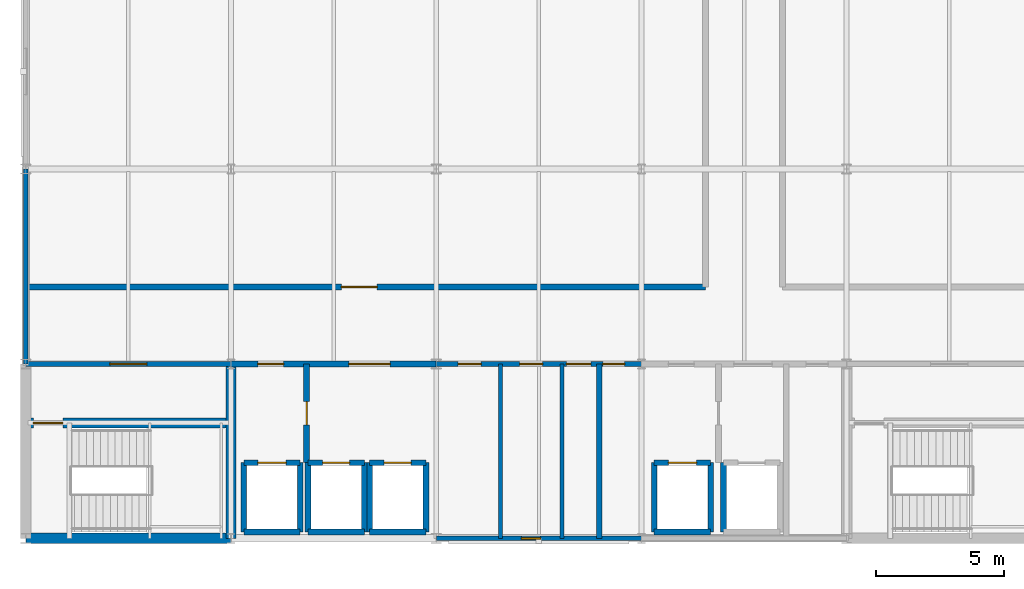
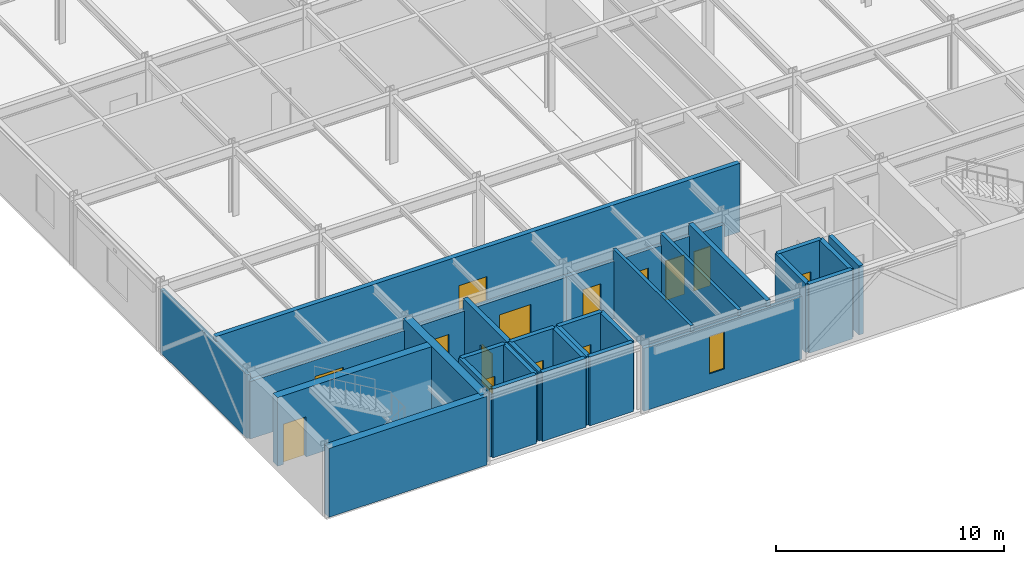
# One storey, part 11 of 14: 30 walls, 14 doors, 1 window, 15 openings.
"""IFC4 building model written with IfcOpenShell, lengths in metres."""

from ifc_helpers import new_model, si_unit, direction, frame, frame_2d, origin, place, context, subcontext, project, spatial, rectangle, extrude, material, layer, layer_set, type_object, element, fill, save


model = new_model("IFC4")

# Units and contexts
model_context = context("Model", 3, precision=1e-05, world=origin(), true_north=direction((0.0, 1.0)))
body_context = subcontext(model_context, "Body", "Model", "MODEL_VIEW")
ifc_project = project(units=[si_unit("LENGTHUNIT", "METRE"), si_unit("AREAUNIT", "SQUARE_METRE"), si_unit("VOLUMEUNIT", "CUBIC_METRE"), si_unit("PLANEANGLEUNIT", "RADIAN"), si_unit("MASSUNIT", "GRAM", prefix="KILO")], contexts=[model_context])

# Site, building, storey
site_placement = place(None, origin())
site = spatial("IfcSite", under=ifc_project, at=site_placement, CompositionType="ELEMENT")
building_placement = place(site_placement, origin())
building = spatial("IfcBuilding", under=site, at=building_placement, Name="Shalkamar Park Central Library", CompositionType="ELEMENT")
storey_placement = place(building_placement, frame((0.0, 0.0, 32.10009765625)))
storey = spatial("IfcBuildingStorey", under=building, at=storey_placement, Name="L08", CompositionType="ELEMENT", Elevation=32.10009765625)

# Wall, opening, door
ifc_material_1 = material(Name="Reinforced fire-compartment masonry wall", Category="masonry")
ifc_layer_1 = layer(ifc_material_1, 0.239990234375)
ifc_layer_set_1 = layer_set([ifc_layer_1], Name="CompartmentWall_240")
wall_type_1 = type_object("IfcWallType", Name="Compartment Wall 240", PredefinedType="PARTITIONING", material=ifc_layer_set_1)
wall_1_placement = place(storey_placement, frame((175.949951171875, 251.35009765625, 0.0), z_axis=(0.0, 0.0, 1.0), x_axis=(0.0, 1.0, 0.0)))
wall_1 = element("IfcWall", 1, at=wall_1_placement, inside=storey, type_object=wall_type_1, Name="Interior Partition WL-INT-L08-001", PredefinedType="PARTITIONING", context=body_context, shape_type="SweptSolid", body=[
    extrude(rectangle(XDim=3.849853515625, YDim=0.239990234375, at=frame_2d((1.9248046875, 0.0))), origin(), (0.0, 0.0, 1.0), 3.679931640625),
])
opening_1_placement = place(wall_1_placement, frame((1.47509765625, 0.0, 0.0)))
opening_1 = element("IfcOpeningElement", 2, at=opening_1_placement, cuts=wall_1, Name="Opening DR-L08-001", PredefinedType="OPENING", context=body_context, shape_type="SweptSolid", body=[
    extrude(rectangle(XDim=0.89990234375, YDim=2.10009765625, at=frame_2d((0.449951171875, 1.050048828125))), frame((0.0, 0.134765625, 0.0), z_axis=(0.0, -1.0, 0.0), x_axis=(1.0, 0.0, 0.0)), (0.0, 0.0, 1.0), 0.269775390625),
])
ifc_material_2 = material(Name="Steel S355", Category="steel")
door_type_1 = type_object("IfcDoorType", Name="Fire Door Single 900x2100", OperationType="NOTDEFINED", PredefinedType="DOOR", material=ifc_material_2)
door_1_placement = place(opening_1_placement, frame((0.89990234375, 0.0, 0.0), z_axis=(0.0, 0.0, 1.0), x_axis=(-1.0, 0.0, 0.0)))
door_1 = element("IfcDoor", 3, at=door_1_placement, inside=storey, type_object=door_type_1, Name="Fire Lobby Interconnect Door", OperationType="SINGLE_SWING_LEFT", OverallHeight=2.10009765625, OverallWidth=0.89990234375, PredefinedType="DOOR", context=body_context, shape_type="SweptSolid", body=[
    extrude(rectangle(XDim=0.89990234375, YDim=2.10009765625, at=frame_2d((0.449951171875, 1.050048828125))), frame((0.0, 0.02490234375, 0.0), z_axis=(0.0, -1.0, 0.0), x_axis=(1.0, 0.0, 0.0)), (0.0, 0.0, 1.0), 0.050048828125),
])
fill(opening_1, door_1)

# Wall, openings, doors
wall_2_placement = place(storey_placement, frame((173.0, 255.199951171875, 0.0), z_axis=(0.0, 0.0, 1.0), x_axis=(1.0, 0.0, 0.0)))
wall_2 = element("IfcWall", 4, at=wall_2_placement, inside=storey, type_object=wall_type_1, Name="Interior Partition WL-INT-L08-007", PredefinedType="PARTITIONING", context=body_context, shape_type="SweptSolid", body=[
    extrude(rectangle(XDim=8.0, YDim=0.239990234375, at=frame_2d((4.0, 0.0))), origin(), (0.0, 0.0, 1.0), 3.077880859375),
])
opening_2_placement = place(wall_2_placement, frame((1.050048828125, 0.0, 0.0)))
opening_2 = element("IfcOpeningElement", 5, at=opening_2_placement, cuts=wall_2, Name="Opening DR-L08-003", PredefinedType="OPENING", context=body_context, shape_type="SweptSolid", body=[
    extrude(rectangle(XDim=1.0, YDim=2.10009765625, at=frame_2d((0.5, 1.050048828125))), frame((0.0, 0.134765625, 0.0), z_axis=(0.0, -1.0, 0.0), x_axis=(1.0, 0.0, 0.0)), (0.0, 0.0, 1.0), 0.269775390625),
])
opening_3_placement = place(wall_2_placement, frame((4.60009765625, 0.0, 0.0)))
opening_3 = element("IfcOpeningElement", 6, at=opening_3_placement, cuts=wall_2, Name="Opening DR-L08-004", PredefinedType="OPENING", context=body_context, shape_type="SweptSolid", body=[
    extrude(rectangle(XDim=1.60009765625, YDim=2.25, at=frame_2d((0.800048828125, 1.125))), frame((0.0, 0.134765625, 0.0), z_axis=(0.0, -1.0, 0.0), x_axis=(1.0, 0.0, 0.0)), (0.0, 0.0, 1.0), 0.269775390625),
])
door_type_2 = type_object("IfcDoorType", Name="Fire Door Single 1000x2100", OperationType="NOTDEFINED", PredefinedType="DOOR", material=ifc_material_2)
door_2_placement = place(opening_2_placement, frame((1.0, 0.0, 0.0), z_axis=(0.0, 0.0, 1.0), x_axis=(-1.0, 0.0, 0.0)))
door_2 = element("IfcDoor", 7, at=door_2_placement, inside=storey, type_object=door_type_2, Name="West Firefighting Lobby Door", OperationType="SINGLE_SWING_RIGHT", OverallHeight=2.10009765625, OverallWidth=1.0, PredefinedType="DOOR", context=body_context, shape_type="SweptSolid", body=[
    extrude(rectangle(XDim=1.0, YDim=2.10009765625, at=frame_2d((0.5, 1.050048828125))), frame((0.0, 0.02490234375, 0.0), z_axis=(0.0, -1.0, 0.0), x_axis=(1.0, 0.0, 0.0)), (0.0, 0.0, 1.0), 0.050048828125),
])
fill(opening_2, door_2)
door_type_3 = type_object("IfcDoorType", Name="Interior Door Double 1600x2250", OperationType="DOUBLE_DOOR_SINGLE_SWING", PredefinedType="DOOR", material=ifc_material_2)
door_3_placement = place(opening_3_placement, origin())
door_3 = element("IfcDoor", 8, at=door_3_placement, inside=storey, type_object=door_type_3, Name="West Lift Lobby Entrance", OperationType="DOUBLE_DOOR_SINGLE_SWING", OverallHeight=2.25, OverallWidth=1.60009765625, PredefinedType="DOOR", context=body_context, shape_type="SweptSolid", body=[
    extrude(rectangle(XDim=1.60009765625, YDim=2.25, at=frame_2d((0.800048828125, 1.125))), frame((0.0, 0.02490234375, 0.0), z_axis=(0.0, -1.0, 0.0), x_axis=(1.0, 0.0, 0.0)), (0.0, 0.0, 1.0), 0.050048828125),
])
fill(opening_3, door_3)

# Wall, opening, door
wall_3_placement = place(storey_placement, frame((165.0, 258.199951171875, 0.0), z_axis=(0.0, 0.0, 1.0), x_axis=(1.0, 0.0, 0.0)))
wall_3 = element("IfcWall", 9, at=wall_3_placement, inside=storey, type_object=wall_type_1, Name="Interior Partition WL-INT-L08-012", PredefinedType="PARTITIONING", context=body_context, shape_type="SweptSolid", body=[
    extrude(rectangle(XDim=26.5, YDim=0.239990234375, at=frame_2d((13.25, 0.0))), origin(), (0.0, 0.0, 1.0), 3.679931640625),
])
opening_4_placement = place(wall_3_placement, frame((12.300048828125, 0.0, 0.0)))
opening_4 = element("IfcOpeningElement", 10, at=opening_4_placement, cuts=wall_3, Name="Opening DR-L08-014", PredefinedType="OPENING", context=body_context, shape_type="SweptSolid", body=[
    extrude(rectangle(XDim=1.39990234375, YDim=2.10009765625, at=frame_2d((0.699951171875, 1.050048828125))), frame((0.0, 0.134765625, 0.0), z_axis=(0.0, -1.0, 0.0), x_axis=(1.0, 0.0, 0.0)), (0.0, 0.0, 1.0), 0.269775390625),
])
door_type_4 = type_object("IfcDoorType", Name="Fire Door Double 1400x2100", OperationType="DOUBLE_DOOR_SINGLE_SWING", PredefinedType="DOOR", material=ifc_material_2)
door_4_placement = place(opening_4_placement, origin())
door_4 = element("IfcDoor", 11, at=door_4_placement, inside=storey, type_object=door_type_4, Name="L08 SW Closed Stacks South Door", OperationType="DOUBLE_DOOR_SINGLE_SWING", OverallHeight=2.10009765625, OverallWidth=1.39990234375, PredefinedType="DOOR", context=body_context, shape_type="SweptSolid", body=[
    extrude(rectangle(XDim=1.39990234375, YDim=2.10009765625, at=frame_2d((0.699951171875, 1.050048828125))), frame((0.0, 0.02490234375, 0.0), z_axis=(0.0, -1.0, 0.0), x_axis=(1.0, 0.0, 0.0)), (0.0, 0.0, 1.0), 0.050048828125),
])
fill(opening_4, door_4)

ifc_material_3 = material(Name="Fire-rated corridor partition wall", Category="masonry")
ifc_layer_2 = layer(ifc_material_3, 0.199951171875)
ifc_layer_set_2 = layer_set([ifc_layer_2], Name="CorridorFireWall_200")
wall_type_2 = type_object("IfcWallType", Name="Corridor Fire Wall 200", PredefinedType="PARTITIONING", material=ifc_layer_set_2)
wall_4_placement = place(storey_placement, frame((165.0, 255.199951171875, 0.0), z_axis=(0.0, 0.0, 1.0), x_axis=(1.0, 0.0, 0.0)))
wall_4 = element("IfcWall", 12, at=wall_4_placement, inside=storey, type_object=wall_type_2, Name="CORE-T1 Vestibule North Wall (L08)", PredefinedType="PARTITIONING", context=body_context, shape_type="SweptSolid", body=[
    extrude(rectangle(XDim=8.0, YDim=0.199951171875, at=frame_2d((4.0, 0.0))), origin(), (0.0, 0.0, 1.0), 3.077880859375),
])
opening_5_placement = place(wall_4_placement, frame((3.27490234375, 0.0, 0.0)))
opening_5 = element("IfcOpeningElement", 13, at=opening_5_placement, cuts=wall_4, Name="Opening DR-ST-T1-L08-VEST", PredefinedType="OPENING", context=body_context, shape_type="SweptSolid", body=[
    extrude(rectangle(XDim=1.449951171875, YDim=2.199951171875, at=frame_2d((0.72509765625, 1.10009765625))), frame((0.0, 0.11474609375, 0.0), z_axis=(0.0, -1.0, 0.0), x_axis=(1.0, 0.0, 0.0)), (0.0, 0.0, 1.0), 0.229736328125),
])
door_type_5 = type_object("IfcDoorType", Name="Stair Vestibule Door 1450x2200", OperationType="DOUBLE_DOOR_SINGLE_SWING", PredefinedType="DOOR", material=ifc_material_2)
door_5_placement = place(opening_5_placement, frame((1.449951171875, 0.0, 0.0), z_axis=(0.0, 0.0, 1.0), x_axis=(-1.0, 0.0, 0.0)))
door_5 = element("IfcDoor", 14, at=door_5_placement, inside=storey, type_object=door_type_5, Name="Protected Stair ST-T1 Vestibule Door (L08)", OperationType="DOUBLE_DOOR_SINGLE_SWING", OverallHeight=2.199951171875, OverallWidth=1.449951171875, PredefinedType="DOOR", context=body_context, shape_type="SweptSolid", body=[
    extrude(rectangle(XDim=1.449951171875, YDim=2.199951171875, at=frame_2d((0.72509765625, 1.10009765625))), frame((0.0, 0.02490234375, 0.0), z_axis=(0.0, -1.0, 0.0), x_axis=(1.0, 0.0, 0.0)), (0.0, 0.0, 1.0), 0.050048828125),
])
fill(opening_5, door_5)

# Wall, openings, doors
wall_5_placement = place(storey_placement, frame((181.0, 255.199951171875, 0.0), z_axis=(0.0, 0.0, 1.0), x_axis=(1.0, 0.0, 0.0)))
wall_5 = element("IfcWall", 15, at=wall_5_placement, inside=storey, type_object=wall_type_2, Name="Interior Partition WL-INT-L08-008", PredefinedType="PARTITIONING", context=body_context, shape_type="SweptSolid", body=[
    extrude(rectangle(XDim=8.0, YDim=0.199951171875, at=frame_2d((4.0, 0.0))), origin(), (0.0, 0.0, 1.0), 3.077880859375),
])
opening_6_placement = place(wall_5_placement, frame((0.85009765625, 0.0, 0.0)))
opening_6 = element("IfcOpeningElement", 16, at=opening_6_placement, cuts=wall_5, Name="Opening DR-L08-005", PredefinedType="OPENING", context=body_context, shape_type="SweptSolid", body=[
    extrude(rectangle(XDim=0.89990234375, YDim=2.10009765625, at=frame_2d((0.449951171875, 1.050048828125))), frame((0.0, 0.11474609375, 0.0), z_axis=(0.0, -1.0, 0.0), x_axis=(1.0, 0.0, 0.0)), (0.0, 0.0, 1.0), 0.229736328125),
])
opening_7_placement = place(wall_5_placement, frame((3.25, 0.0, 0.0)))
opening_7 = element("IfcOpeningElement", 17, at=opening_7_placement, cuts=wall_5, Name="Opening DR-L08-006", PredefinedType="OPENING", context=body_context, shape_type="SweptSolid", body=[
    extrude(rectangle(XDim=0.89990234375, YDim=2.10009765625, at=frame_2d((0.449951171875, 1.050048828125))), frame((0.0, 0.11474609375, 0.0), z_axis=(0.0, -1.0, 0.0), x_axis=(1.0, 0.0, 0.0)), (0.0, 0.0, 1.0), 0.229736328125),
])
opening_8_placement = place(wall_5_placement, frame((5.074951171875, 0.0, 0.0)))
opening_8 = element("IfcOpeningElement", 18, at=opening_8_placement, cuts=wall_5, Name="Opening DR-L08-007", PredefinedType="OPENING", context=body_context, shape_type="SweptSolid", body=[
    extrude(rectangle(XDim=0.949951171875, YDim=2.10009765625, at=frame_2d((0.47509765625, 1.050048828125))), frame((0.0, 0.11474609375, 0.0), z_axis=(0.0, -1.0, 0.0), x_axis=(1.0, 0.0, 0.0)), (0.0, 0.0, 1.0), 0.229736328125),
])
opening_9_placement = place(wall_5_placement, frame((6.5, 0.0, 0.0)))
opening_9 = element("IfcOpeningElement", 19, at=opening_9_placement, cuts=wall_5, Name="Opening DR-L08-008", PredefinedType="OPENING", context=body_context, shape_type="SweptSolid", body=[
    extrude(rectangle(XDim=0.85009765625, YDim=2.10009765625, at=frame_2d((0.425048828125, 1.050048828125))), frame((0.0, 0.11474609375, 0.0), z_axis=(0.0, -1.0, 0.0), x_axis=(1.0, 0.0, 0.0)), (0.0, 0.0, 1.0), 0.229736328125),
])
door_type_6 = type_object("IfcDoorType", Name="Fire Door Riser 850x2100", OperationType="NOTDEFINED", PredefinedType="DOOR", material=ifc_material_2)
door_6_placement = place(opening_9_placement, frame((0.85009765625, 0.0, 0.0), z_axis=(0.0, 0.0, 1.0), x_axis=(-1.0, 0.0, 0.0)))
door_6 = element("IfcDoor", 20, at=door_6_placement, inside=storey, type_object=door_type_6, Name="Electrical Riser Access Door", OperationType="SINGLE_SWING_LEFT", OverallHeight=2.10009765625, OverallWidth=0.85009765625, PredefinedType="DOOR", context=body_context, shape_type="SweptSolid", body=[
    extrude(rectangle(XDim=0.85009765625, YDim=2.10009765625, at=frame_2d((0.425048828125, 1.050048828125))), frame((0.0, 0.02490234375, 0.0), z_axis=(0.0, -1.0, 0.0), x_axis=(1.0, 0.0, 0.0)), (0.0, 0.0, 1.0), 0.050048828125),
])
fill(opening_9, door_6)
door_type_7 = type_object("IfcDoorType", Name="Interior Door Single 900x2100", OperationType="NOTDEFINED", PredefinedType="DOOR", material=ifc_material_2)
door_7_placement = place(opening_6_placement, frame((0.89990234375, 0.0, 0.0), z_axis=(0.0, 0.0, 1.0), x_axis=(-1.0, 0.0, 0.0)))
door_7 = element("IfcDoor", 21, at=door_7_placement, inside=storey, type_object=door_type_7, Name="Male WC Door", OperationType="SINGLE_SWING_RIGHT", OverallHeight=2.10009765625, OverallWidth=0.89990234375, PredefinedType="DOOR", context=body_context, shape_type="SweptSolid", body=[
    extrude(rectangle(XDim=0.89990234375, YDim=2.10009765625, at=frame_2d((0.449951171875, 1.050048828125))), frame((0.0, 0.02490234375, 0.0), z_axis=(0.0, -1.0, 0.0), x_axis=(1.0, 0.0, 0.0)), (0.0, 0.0, 1.0), 0.050048828125),
])
fill(opening_6, door_7)
door_8_placement = place(opening_7_placement, frame((0.89990234375, 0.0, 0.0), z_axis=(0.0, 0.0, 1.0), x_axis=(-1.0, 0.0, 0.0)))
door_8 = element("IfcDoor", 22, at=door_8_placement, inside=storey, type_object=door_type_7, Name="Female WC Door", OperationType="SINGLE_SWING_RIGHT", OverallHeight=2.10009765625, OverallWidth=0.89990234375, PredefinedType="DOOR", context=body_context, shape_type="SweptSolid", body=[
    extrude(rectangle(XDim=0.89990234375, YDim=2.10009765625, at=frame_2d((0.449951171875, 1.050048828125))), frame((0.0, 0.02490234375, 0.0), z_axis=(0.0, -1.0, 0.0), x_axis=(1.0, 0.0, 0.0)), (0.0, 0.0, 1.0), 0.050048828125),
])
fill(opening_7, door_8)
door_type_8 = type_object("IfcDoorType", Name="Interior Door Single 950x2100", OperationType="NOTDEFINED", PredefinedType="DOOR", material=ifc_material_2)
door_9_placement = place(opening_8_placement, frame((0.949951171875, 0.0, 0.0), z_axis=(0.0, 0.0, 1.0), x_axis=(-1.0, 0.0, 0.0)))
door_9 = element("IfcDoor", 23, at=door_9_placement, inside=storey, type_object=door_type_8, Name="Universal Accessible WC Door", OperationType="SINGLE_SWING_LEFT", OverallHeight=2.10009765625, OverallWidth=0.949951171875, PredefinedType="DOOR", context=body_context, shape_type="SweptSolid", body=[
    extrude(rectangle(XDim=0.949951171875, YDim=2.10009765625, at=frame_2d((0.47509765625, 1.050048828125))), frame((0.0, 0.02490234375, 0.0), z_axis=(0.0, -1.0, 0.0), x_axis=(1.0, 0.0, 0.0)), (0.0, 0.0, 1.0), 0.050048828125),
])
fill(opening_8, door_9)

# Walls
ifc_material_4 = material(Name="Concrete C40/50", Category="concrete")
ifc_layer_3 = layer(ifc_material_4, 0.219970703125)
ifc_layer_set_3 = layer_set([ifc_layer_3], Name="Concrete C40/50")
wall_type_3 = type_object("IfcWallType", Name="Lift Hoistway Shear Wall 220", PredefinedType="SHEAR", material=ifc_layer_set_3)
wall_6_placement = place(storey_placement, frame((173.5, 248.64990234375, 0.0), z_axis=(0.0, 0.0, 1.0), x_axis=(1.0, 0.0, 0.0)))
element("IfcWall", 24, at=wall_6_placement, inside=storey, type_object=wall_type_3, Name="Lift FFL-01 Hoistway South Wall (L08)", PredefinedType="SHEAR", context=body_context, shape_type="SweptSolid", body=[
    extrude(rectangle(XDim=2.199951171875, YDim=0.219970703125, at=frame_2d((1.10009765625, 0.0))), origin(), (0.0, 0.0, 1.0), 3.679931640625),
])
for number, where, z_axis, x_axis, name in (
    (25, (173.5, 248.64990234375, 0.0), (0.0, 0.0, 1.0), (0.0, 1.0, 0.0), "Lift FFL-01 Hoistway West Wall (L08)"),
    (26, (175.699951171875, 248.64990234375, 0.0), (0.0, 0.0, 1.0), (0.0, 1.0, 0.0), "Lift FFL-01 Hoistway East Wall (L08)"),
):
    element("IfcWall", number, at=place(storey_placement, frame(where, z_axis=z_axis, x_axis=x_axis)), inside=storey, type_object=wall_type_3, Name=name, PredefinedType="SHEAR", context=body_context, shape_type="SweptSolid", body=[
        extrude(rectangle(XDim=2.7001953125, YDim=0.219970703125, at=frame_2d((1.35009765625, 0.0))), origin(), (0.0, 0.0, 1.0), 3.679931640625),
    ])

# Wall, opening, door
wall_7_placement = place(storey_placement, frame((173.5, 251.35009765625, 0.0), z_axis=(0.0, 0.0, 1.0), x_axis=(1.0, 0.0, 0.0)))
wall_7 = element("IfcWall", 27, at=wall_7_placement, inside=storey, type_object=wall_type_3, Name="Lift FFL-01 Hoistway Front Wall (L08)", PredefinedType="SHEAR", context=body_context, shape_type="SweptSolid", body=[
    extrude(rectangle(XDim=2.199951171875, YDim=0.219970703125, at=frame_2d((1.10009765625, 0.0))), origin(), (0.0, 0.0, 1.0), 3.679931640625),
])
opening_10_placement = place(wall_7_placement, frame((0.550048828125, 0.0, 0.0)))
opening_10 = element("IfcOpeningElement", 28, at=opening_10_placement, cuts=wall_7, Name="Opening LD-FFL-01-L08", PredefinedType="OPENING", context=body_context, shape_type="SweptSolid", body=[
    extrude(rectangle(XDim=1.10009765625, YDim=2.14990234375, at=frame_2d((0.550048828125, 1.074951171875))), frame((0.0, 0.125, 0.0), z_axis=(0.0, -1.0, 0.0), x_axis=(1.0, 0.0, 0.0)), (0.0, 0.0, 1.0), 0.249755859375),
])
door_type_9 = type_object("IfcDoorType", Name="Fire Lift Landing Door 1100x2150", OperationType="DOUBLE_DOOR_SLIDING", PredefinedType="USERDEFINED", material=ifc_material_2)
door_10_placement = place(opening_10_placement, origin())
door_10 = element("IfcDoor", 29, at=door_10_placement, inside=storey, type_object=door_type_9, Name="Lift FFL-01 Sliding Landing Door (L08)", ObjectType="SLIDING LANDING DOOR", OperationType="DOUBLE_DOOR_SLIDING", OverallHeight=2.14990234375, OverallWidth=1.10009765625, PredefinedType="USERDEFINED", context=body_context, shape_type="SweptSolid", body=[
    extrude(rectangle(XDim=1.10009765625, YDim=2.14990234375, at=frame_2d((0.550048828125, 1.074951171875))), frame((0.0, 0.02490234375, 0.0), z_axis=(0.0, -1.0, 0.0), x_axis=(1.0, 0.0, 0.0)), (0.0, 0.0, 1.0), 0.050048828125),
])
fill(opening_10, door_10)

# Walls
wall_8_placement = place(storey_placement, frame((176.0, 248.64990234375, 0.0), z_axis=(0.0, 0.0, 1.0), x_axis=(1.0, 0.0, 0.0)))
element("IfcWall", 30, at=wall_8_placement, inside=storey, type_object=wall_type_3, Name="Lift LT-01 Hoistway South Wall (L08)", PredefinedType="SHEAR", context=body_context, shape_type="SweptSolid", body=[
    extrude(rectangle(XDim=2.199951171875, YDim=0.219970703125, at=frame_2d((1.10009765625, 0.0))), origin(), (0.0, 0.0, 1.0), 3.679931640625),
])
for number, where, z_axis, x_axis, name in (
    (31, (176.0, 248.64990234375, 0.0), (0.0, 0.0, 1.0), (0.0, 1.0, 0.0), "Lift LT-01 Hoistway West Wall (L08)"),
    (32, (178.199951171875, 248.64990234375, 0.0), (0.0, 0.0, 1.0), (0.0, 1.0, 0.0), "Lift LT-01 Hoistway East Wall (L08)"),
):
    element("IfcWall", number, at=place(storey_placement, frame(where, z_axis=z_axis, x_axis=x_axis)), inside=storey, type_object=wall_type_3, Name=name, PredefinedType="SHEAR", context=body_context, shape_type="SweptSolid", body=[
        extrude(rectangle(XDim=2.7001953125, YDim=0.219970703125, at=frame_2d((1.35009765625, 0.0))), origin(), (0.0, 0.0, 1.0), 3.679931640625),
    ])

# Wall, opening, door
wall_9_placement = place(storey_placement, frame((176.0, 251.35009765625, 0.0), z_axis=(0.0, 0.0, 1.0), x_axis=(1.0, 0.0, 0.0)))
wall_9 = element("IfcWall", 33, at=wall_9_placement, inside=storey, type_object=wall_type_3, Name="Lift LT-01 Hoistway Front Wall (L08)", PredefinedType="SHEAR", context=body_context, shape_type="SweptSolid", body=[
    extrude(rectangle(XDim=2.199951171875, YDim=0.219970703125, at=frame_2d((1.10009765625, 0.0))), origin(), (0.0, 0.0, 1.0), 3.679931640625),
])
opening_11_placement = place(wall_9_placement, frame((0.574951171875, 0.0, 0.0)))
opening_11 = element("IfcOpeningElement", 34, at=opening_11_placement, cuts=wall_9, Name="Opening LD-LT-01-L08", PredefinedType="OPENING", context=body_context, shape_type="SweptSolid", body=[
    extrude(rectangle(XDim=1.050048828125, YDim=2.14990234375, at=frame_2d((0.52490234375, 1.074951171875))), frame((0.0, 0.125, 0.0), z_axis=(0.0, -1.0, 0.0), x_axis=(1.0, 0.0, 0.0)), (0.0, 0.0, 1.0), 0.249755859375),
])
door_type_10 = type_object("IfcDoorType", Name="Passenger Lift Landing Door 1050x2150", OperationType="DOUBLE_DOOR_SLIDING", PredefinedType="USERDEFINED", material=ifc_material_2)
door_11_placement = place(opening_11_placement, origin())
door_11 = element("IfcDoor", 35, at=door_11_placement, inside=storey, type_object=door_type_10, Name="Lift LT-01 Sliding Landing Door (L08)", ObjectType="SLIDING LANDING DOOR", OperationType="DOUBLE_DOOR_SLIDING", OverallHeight=2.14990234375, OverallWidth=1.050048828125, PredefinedType="USERDEFINED", context=body_context, shape_type="SweptSolid", body=[
    extrude(rectangle(XDim=1.050048828125, YDim=2.14990234375, at=frame_2d((0.52490234375, 1.074951171875))), frame((0.0, 0.02490234375, 0.0), z_axis=(0.0, -1.0, 0.0), x_axis=(1.0, 0.0, 0.0)), (0.0, 0.0, 1.0), 0.050048828125),
])
fill(opening_11, door_11)

# Walls
wall_10_placement = place(storey_placement, frame((178.39990234375, 248.64990234375, 0.0), z_axis=(0.0, 0.0, 1.0), x_axis=(1.0, 0.0, 0.0)))
element("IfcWall", 36, at=wall_10_placement, inside=storey, type_object=wall_type_3, Name="Lift LT-02 Hoistway South Wall (L08)", PredefinedType="SHEAR", context=body_context, shape_type="SweptSolid", body=[
    extrude(rectangle(XDim=2.2001953125, YDim=0.219970703125, at=frame_2d((1.10009765625, 0.0))), origin(), (0.0, 0.0, 1.0), 3.679931640625),
])
for number, where, z_axis, x_axis, name in (
    (37, (178.39990234375, 248.64990234375, 0.0), (0.0, 0.0, 1.0), (0.0, 1.0, 0.0), "Lift LT-02 Hoistway West Wall (L08)"),
    (38, (180.60009765625, 248.64990234375, 0.0), (0.0, 0.0, 1.0), (0.0, 1.0, 0.0), "Lift LT-02 Hoistway East Wall (L08)"),
):
    element("IfcWall", number, at=place(storey_placement, frame(where, z_axis=z_axis, x_axis=x_axis)), inside=storey, type_object=wall_type_3, Name=name, PredefinedType="SHEAR", context=body_context, shape_type="SweptSolid", body=[
        extrude(rectangle(XDim=2.7001953125, YDim=0.219970703125, at=frame_2d((1.35009765625, 0.0))), origin(), (0.0, 0.0, 1.0), 3.679931640625),
    ])

# Wall, opening, door
wall_11_placement = place(storey_placement, frame((178.39990234375, 251.35009765625, 0.0), z_axis=(0.0, 0.0, 1.0), x_axis=(1.0, 0.0, 0.0)))
wall_11 = element("IfcWall", 39, at=wall_11_placement, inside=storey, type_object=wall_type_3, Name="Lift LT-02 Hoistway Front Wall (L08)", PredefinedType="SHEAR", context=body_context, shape_type="SweptSolid", body=[
    extrude(rectangle(XDim=2.2001953125, YDim=0.219970703125, at=frame_2d((1.10009765625, 0.0))), origin(), (0.0, 0.0, 1.0), 3.679931640625),
])
opening_12_placement = place(wall_11_placement, frame((0.574951171875, 0.0, 0.0)))
opening_12 = element("IfcOpeningElement", 40, at=opening_12_placement, cuts=wall_11, Name="Opening LD-LT-02-L08", PredefinedType="OPENING", context=body_context, shape_type="SweptSolid", body=[
    extrude(rectangle(XDim=1.050048828125, YDim=2.14990234375, at=frame_2d((0.52490234375, 1.074951171875))), frame((0.0, 0.125, 0.0), z_axis=(0.0, -1.0, 0.0), x_axis=(1.0, 0.0, 0.0)), (0.0, 0.0, 1.0), 0.249755859375),
])
door_12_placement = place(opening_12_placement, origin())
door_12 = element("IfcDoor", 41, at=door_12_placement, inside=storey, type_object=door_type_10, Name="Lift LT-02 Sliding Landing Door (L08)", ObjectType="SLIDING LANDING DOOR", OperationType="DOUBLE_DOOR_SLIDING", OverallHeight=2.14990234375, OverallWidth=1.050048828125, PredefinedType="USERDEFINED", context=body_context, shape_type="SweptSolid", body=[
    extrude(rectangle(XDim=1.050048828125, YDim=2.14990234375, at=frame_2d((0.52490234375, 1.074951171875))), frame((0.0, 0.02490234375, 0.0), z_axis=(0.0, -1.0, 0.0), x_axis=(1.0, 0.0, 0.0)), (0.0, 0.0, 1.0), 0.050048828125),
])
fill(opening_12, door_12)

# Walls
wall_12_placement = place(storey_placement, frame((189.5, 248.64990234375, 0.0), z_axis=(0.0, 0.0, 1.0), x_axis=(1.0, 0.0, 0.0)))
element("IfcWall", 42, at=wall_12_placement, inside=storey, type_object=wall_type_3, Name="Lift FFL-02 Hoistway South Wall (L08)", PredefinedType="SHEAR", context=body_context, shape_type="SweptSolid", body=[
    extrude(rectangle(XDim=2.199951171875, YDim=0.219970703125, at=frame_2d((1.10009765625, 0.0))), origin(), (0.0, 0.0, 1.0), 3.679931640625),
])
for number, where, z_axis, x_axis, name in (
    (43, (189.5, 248.64990234375, 0.0), (0.0, 0.0, 1.0), (0.0, 1.0, 0.0), "Lift FFL-02 Hoistway West Wall (L08)"),
    (44, (191.699951171875, 248.64990234375, 0.0), (0.0, 0.0, 1.0), (0.0, 1.0, 0.0), "Lift FFL-02 Hoistway East Wall (L08)"),
):
    element("IfcWall", number, at=place(storey_placement, frame(where, z_axis=z_axis, x_axis=x_axis)), inside=storey, type_object=wall_type_3, Name=name, PredefinedType="SHEAR", context=body_context, shape_type="SweptSolid", body=[
        extrude(rectangle(XDim=2.7001953125, YDim=0.219970703125, at=frame_2d((1.35009765625, 0.0))), origin(), (0.0, 0.0, 1.0), 3.679931640625),
    ])

# Wall, opening, door
wall_13_placement = place(storey_placement, frame((189.5, 251.35009765625, 0.0), z_axis=(0.0, 0.0, 1.0), x_axis=(1.0, 0.0, 0.0)))
wall_13 = element("IfcWall", 45, at=wall_13_placement, inside=storey, type_object=wall_type_3, Name="Lift FFL-02 Hoistway Front Wall (L08)", PredefinedType="SHEAR", context=body_context, shape_type="SweptSolid", body=[
    extrude(rectangle(XDim=2.199951171875, YDim=0.219970703125, at=frame_2d((1.10009765625, 0.0))), origin(), (0.0, 0.0, 1.0), 3.679931640625),
])
opening_13_placement = place(wall_13_placement, frame((0.550048828125, 0.0, 0.0)))
opening_13 = element("IfcOpeningElement", 46, at=opening_13_placement, cuts=wall_13, Name="Opening LD-FFL-02-L08", PredefinedType="OPENING", context=body_context, shape_type="SweptSolid", body=[
    extrude(rectangle(XDim=1.10009765625, YDim=2.14990234375, at=frame_2d((0.550048828125, 1.074951171875))), frame((0.0, 0.125, 0.0), z_axis=(0.0, -1.0, 0.0), x_axis=(1.0, 0.0, 0.0)), (0.0, 0.0, 1.0), 0.249755859375),
])
door_13_placement = place(opening_13_placement, origin())
door_13 = element("IfcDoor", 47, at=door_13_placement, inside=storey, type_object=door_type_9, Name="Lift FFL-02 Sliding Landing Door (L08)", ObjectType="SLIDING LANDING DOOR", OperationType="DOUBLE_DOOR_SLIDING", OverallHeight=2.14990234375, OverallWidth=1.10009765625, PredefinedType="USERDEFINED", context=body_context, shape_type="SweptSolid", body=[
    extrude(rectangle(XDim=1.10009765625, YDim=2.14990234375, at=frame_2d((0.550048828125, 1.074951171875))), frame((0.0, 0.02490234375, 0.0), z_axis=(0.0, -1.0, 0.0), x_axis=(1.0, 0.0, 0.0)), (0.0, 0.0, 1.0), 0.050048828125),
])
fill(opening_13, door_13)

# Walls
wall_14_placement = place(storey_placement, frame((192.199951171875, 248.64990234375, 0.0), z_axis=(0.0, 0.0, 1.0), x_axis=(0.0, 1.0, 0.0)))
element("IfcWall", 48, at=wall_14_placement, inside=storey, type_object=wall_type_3, Name="Lift LT-03 Hoistway West Wall (L08)", PredefinedType="SHEAR", context=body_context, shape_type="SweptSolid", body=[
    extrude(rectangle(XDim=2.7001953125, YDim=0.219970703125, at=frame_2d((1.35009765625, 0.0))), origin(), (0.0, 0.0, 1.0), 3.679931640625),
])
ifc_material_5 = material(Name="Moisture-resistant sanitary partition", Category="masonry")
ifc_layer_4 = layer(ifc_material_5, 0.159912109375)
ifc_layer_set_4 = layer_set([ifc_layer_4], Name="PlumbingChaseWall_160")
wall_type_4 = type_object("IfcWallType", Name="Plumbing Chase Wall 160", PredefinedType="PARTITIONING", material=ifc_layer_set_4)
for number, where, z_axis, x_axis, name in (
    (49, (183.5, 248.39990234375, 0.0), (0.0, 0.0, 1.0), (0.0, 1.0, 0.0), "Interior Partition WL-INT-L08-004"),
    (50, (185.89990234375, 248.39990234375, 0.0), (0.0, 0.0, 1.0), (0.0, 1.0, 0.0), "Interior Partition WL-INT-L08-005"),
):
    element("IfcWall", number, at=place(storey_placement, frame(where, z_axis=z_axis, x_axis=x_axis)), inside=storey, type_object=wall_type_4, Name=name, PredefinedType="PARTITIONING", context=body_context, shape_type="SweptSolid", body=[
        extrude(rectangle(XDim=6.800048828125, YDim=0.159912109375, at=frame_2d((3.39990234375, 0.0))), origin(), (0.0, 0.0, 1.0), 3.679931640625),
    ])
ifc_material_6 = material(Name="Fire-rated shaft enclosure wall", Category="masonry")
ifc_layer_5 = layer(ifc_material_6, 0.219970703125)
ifc_layer_set_5 = layer_set([ifc_layer_5], Name="ShaftWall_220")
wall_type_5 = type_object("IfcWallType", Name="Shaft Wall 220", PredefinedType="PARTITIONING", material=ifc_layer_set_5)
wall_15_placement = place(storey_placement, frame((187.35009765625, 248.39990234375, 0.0), z_axis=(0.0, 0.0, 1.0), x_axis=(0.0, 1.0, 0.0)))
element("IfcWall", 51, at=wall_15_placement, inside=storey, type_object=wall_type_5, Name="Interior Partition WL-INT-L08-006", PredefinedType="PARTITIONING", context=body_context, shape_type="SweptSolid", body=[
    extrude(rectangle(XDim=6.800048828125, YDim=0.219970703125, at=frame_2d((3.39990234375, 0.0))), origin(), (0.0, 0.0, 1.0), 3.679931640625),
])
ifc_layer_6 = layer(ifc_material_4, 0.39990234375)
ifc_layer_set_6 = layer_set([ifc_layer_6], Name="Concrete C40/50")
wall_type_6 = type_object("IfcWallType", Name="Tower Core Shear Wall 400", PredefinedType="SHEAR", material=ifc_layer_set_6)
wall_16_placement = place(storey_placement, frame((165.0, 248.39990234375, 0.0), z_axis=(0.0, 0.0, 1.0), x_axis=(1.0, 0.0, 0.0)))
element("IfcWall", 52, at=wall_16_placement, inside=storey, type_object=wall_type_6, Name="CORE-T1 South Shear Wall (L08)", PredefinedType="SHEAR", context=body_context, shape_type="SweptSolid", body=[
    extrude(rectangle(XDim=8.0, YDim=0.39990234375, at=frame_2d((4.0, 0.0))), origin(), (0.0, 0.0, 1.0), 3.679931640625),
])
wall_17_placement = place(storey_placement, frame((173.0, 248.39990234375, 0.0), z_axis=(0.0, 0.0, 1.0), x_axis=(0.0, 1.0, 0.0)))
element("IfcWall", 53, at=wall_17_placement, inside=storey, type_object=wall_type_6, Name="CORE-T1 East Shear Wall (L08)", PredefinedType="SHEAR", context=body_context, shape_type="SweptSolid", body=[
    extrude(rectangle(XDim=6.800048828125, YDim=0.39990234375, at=frame_2d((3.39990234375, 0.0))), origin(), (0.0, 0.0, 1.0), 3.679931640625),
])

# Wall, opening, door
wall_18_placement = place(storey_placement, frame((165.0, 252.89990234375, 0.0), z_axis=(0.0, 0.0, 1.0), x_axis=(1.0, 0.0, 0.0)))
wall_18 = element("IfcWall", 54, at=wall_18_placement, inside=storey, type_object=wall_type_6, Name="CORE-T1 Stairwell Wall (L08)", PredefinedType="SHEAR", context=body_context, shape_type="SweptSolid", body=[
    extrude(rectangle(XDim=8.0, YDim=0.39990234375, at=frame_2d((4.0, 0.0))), origin(), (0.0, 0.0, 1.0), 3.679931640625),
])
opening_14_placement = place(wall_18_placement, frame((0.300048828125, 0.0, 0.0)))
opening_14 = element("IfcOpeningElement", 55, at=opening_14_placement, cuts=wall_18, Name="Opening DR-ST-T1-L08-IN", PredefinedType="OPENING", context=body_context, shape_type="SweptSolid", body=[
    extrude(rectangle(XDim=1.14990234375, YDim=2.14990234375, at=frame_2d((0.574951171875, 1.074951171875))), frame((0.0, 0.21484375, 0.0), z_axis=(0.0, -1.0, 0.0), x_axis=(1.0, 0.0, 0.0)), (0.0, 0.0, 1.0), 0.4296875),
])
door_type_11 = type_object("IfcDoorType", Name="Stair Core Exit Door 1150x2150", OperationType="NOTDEFINED", PredefinedType="DOOR", material=ifc_material_2)
door_14_placement = place(opening_14_placement, frame((1.14990234375, 0.0, 0.0), z_axis=(0.0, 0.0, 1.0), x_axis=(-1.0, 0.0, 0.0)))
door_14 = element("IfcDoor", 56, at=door_14_placement, inside=storey, type_object=door_type_11, Name="Protected Stair ST-T1 Exit Door (L08)", OperationType="SINGLE_SWING_RIGHT", OverallHeight=2.14990234375, OverallWidth=1.14990234375, PredefinedType="DOOR", context=body_context, shape_type="SweptSolid", body=[
    extrude(rectangle(XDim=1.14990234375, YDim=2.14990234375, at=frame_2d((0.574951171875, 1.074951171875))), frame((0.0, 0.02490234375, 0.0), z_axis=(0.0, -1.0, 0.0), x_axis=(1.0, 0.0, 0.0)), (0.0, 0.0, 1.0), 0.050048828125),
])
fill(opening_14, door_14)

# Wall, opening, window
ifc_material_7 = material(Name="Terracotta insulated wall panel", Category="masonry")
ifc_layer_7 = layer(ifc_material_7, 0.179931640625)
ifc_layer_set_7 = layer_set([ifc_layer_7], Name="TowerSpandrelWall_180")
wall_type_7 = type_object("IfcWallType", Name="Tower Spandrel Wall 180", PredefinedType="SOLIDWALL", material=ifc_layer_set_7)
wall_19_placement = place(storey_placement, frame((181.006103515625, 248.39990234375, 0.0), z_axis=(0.0, 0.0, 1.0), x_axis=(1.0, 0.0, 0.0)))
wall_19 = element("IfcWall", 57, at=wall_19_placement, inside=storey, type_object=wall_type_7, Name="Exterior Facade Wall WL-EXT-L08-171", PredefinedType="SOLIDWALL", context=body_context, shape_type="SweptSolid", body=[
    extrude(rectangle(XDim=7.98779296875, YDim=0.179931640625, at=frame_2d((3.993896484375, 0.0))), origin(), (0.0, 0.0, 1.0), 3.367919921875),
])
opening_15_placement = place(wall_19_placement, frame((3.319091796875, 0.0, 0.85009765625)))
opening_15 = element("IfcOpeningElement", 58, at=opening_15_placement, cuts=wall_19, Name="Opening WN-18", PredefinedType="OPENING", context=body_context, shape_type="SweptSolid", body=[
    extrude(rectangle(XDim=0.75, YDim=2.0, at=frame_2d((0.375, 1.0))), frame((0.0, 0.10498046875, 0.0), z_axis=(0.0, -1.0, 0.0), x_axis=(1.0, 0.0, 0.0)), (0.0, 0.0, 1.0), 0.209716796875),
])
ifc_material_8 = material(Name="Thermally broken aluminium and triple low-e glass", Category="glass")
window_type = type_object("IfcWindowType", Name="Archive Slit Window 750x2000", PartitioningType="SINGLE_PANEL", PredefinedType="WINDOW", material=ifc_material_8)
window_placement = place(opening_15_placement, origin())
window = element("IfcWindow", 59, at=window_placement, inside=storey, type_object=window_type, Name="Facade Window WN-L08-120", OverallHeight=2.0, OverallWidth=0.75, PartitioningType="SINGLE_PANEL", PredefinedType="WINDOW", context=body_context, shape_type="SweptSolid", body=[
    extrude(rectangle(XDim=0.75, YDim=2.0, at=frame_2d((0.375, 1.0))), frame((0.0, 0.030029296875, 0.0), z_axis=(0.0, -1.0, 0.0), x_axis=(1.0, 0.0, 0.0)), (0.0, 0.0, 1.0), 0.06005859375),
])
fill(opening_15, window)

# Wall
wall_20_placement = place(storey_placement, frame((165.0, 255.2060546875, 0.0), z_axis=(0.0, 0.0, 1.0), x_axis=(0.0, 1.0, 0.0)))
element("IfcWall", 60, at=wall_20_placement, inside=storey, type_object=wall_type_7, Name="Exterior Facade Wall WL-EXT-L08-175", PredefinedType="SOLIDWALL", context=body_context, shape_type="SweptSolid", body=[
    extrude(rectangle(XDim=7.587890625, YDim=0.179931640625, at=frame_2d((3.7939453125, 0.0))), origin(), (0.0, 0.0, 1.0), 3.407958984375),
])

save(model, "model.ifc")
